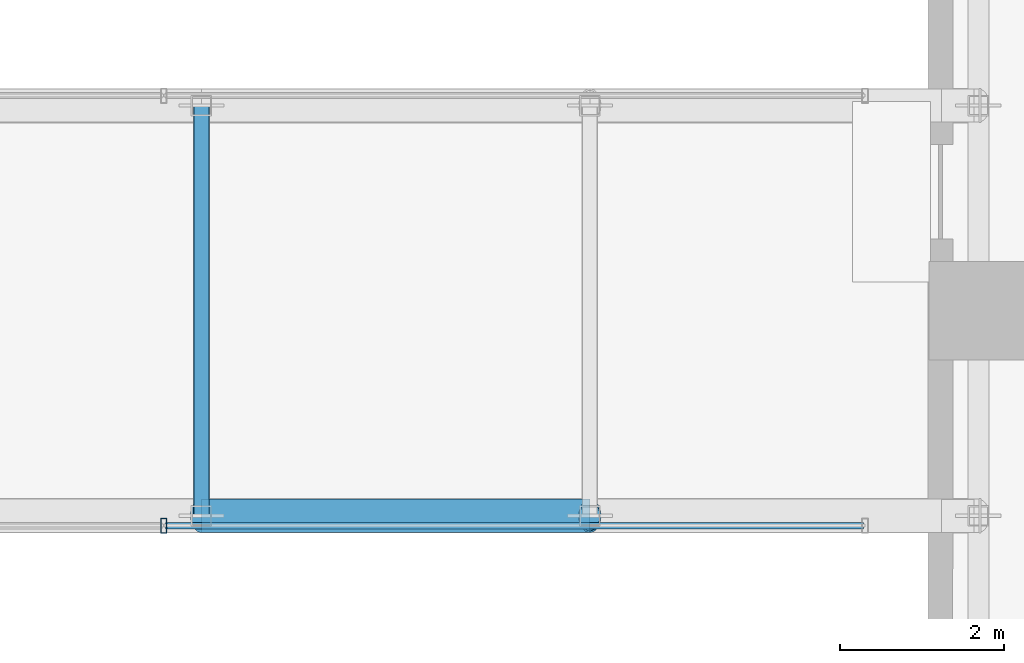
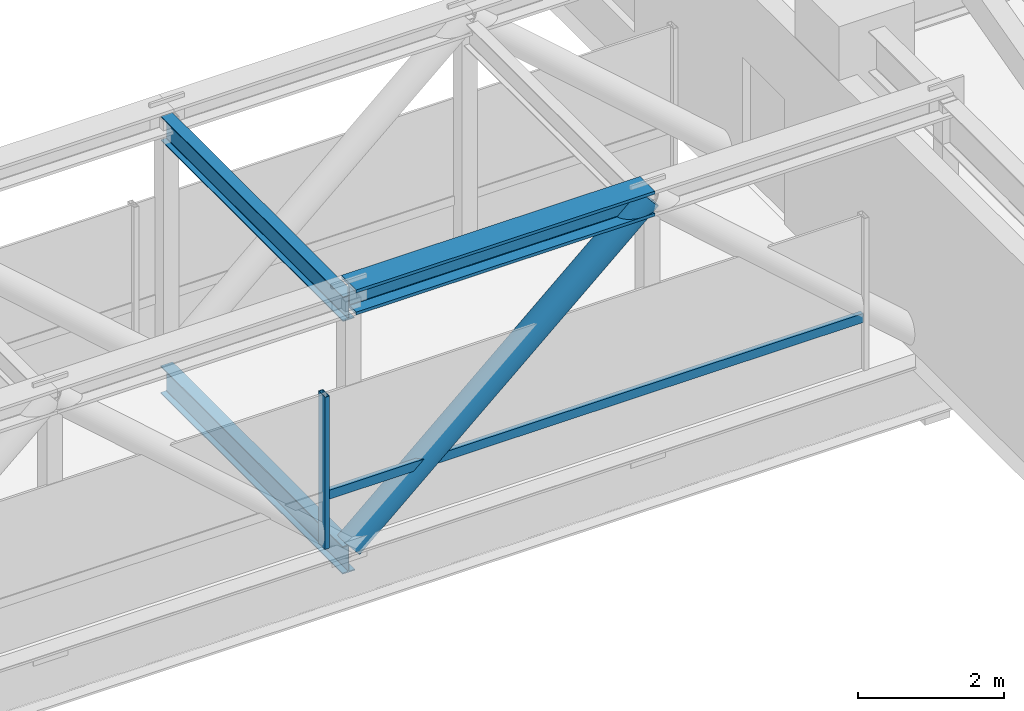
# One storey, part 9 of 45: 4 members, 2 beams, 1 element without a shape of its own.
"""IFC4 building model written with IfcOpenShell, lengths in metres."""

from ifc_helpers import new_model, si_unit, direction, frame, origin, origin_2d, place, context, subcontext, project, spatial, hollow_rectangle, hollow_circle, i_section, extrude, material, material_profile, profile_set, type_object, element, aggregate, save


model = new_model("IFC4")

# Units and contexts
model_context = context("Model", 3, precision=1e-05, world=origin(), true_north=direction((0.0, 1.0)))
body_context = subcontext(model_context, "Body", "Model", "MODEL_VIEW")
ifc_project = project(units=[si_unit("LENGTHUNIT", "METRE"), si_unit("AREAUNIT", "SQUARE_METRE"), si_unit("VOLUMEUNIT", "CUBIC_METRE"), si_unit("PLANEANGLEUNIT", "RADIAN"), si_unit("MASSUNIT", "GRAM", prefix="KILO")], contexts=[model_context])

# Site, building, storey
site_placement = place(None, origin())
site = spatial("IfcSite", under=ifc_project, at=site_placement, CompositionType="ELEMENT")
building_placement = place(site_placement, origin())
building = spatial("IfcBuilding", under=site, at=building_placement, Name="Thornwick Lancets Civic Towers", CompositionType="ELEMENT")
storey_placement = place(building_placement, frame((0.0, 0.0, 141.300048828125)))
storey = spatial("IfcBuildingStorey", under=building, at=storey_placement, Name="L37", CompositionType="ELEMENT", Elevation=141.300048828125)

# Beams
ifc_material_1 = material(Name="Steel S355JR", Category="steel")
ifc_material_profile_1 = material_profile(ifc_material_1, i_section(OverallWidth=0.179443359375, OverallDepth=0.412841796875, WebThickness=0.009521484375, FlangeThickness=0.01611328125, FilletRadius=0.01025390625, at=origin_2d()), Name="UKB 406x178x74")
ifc_profile_set_1 = profile_set([ifc_material_profile_1], Name="Steel S355JR")
beam_type_1 = type_object("IfcBeamType", Name="BM_JOIST_406_74", PredefinedType="JOIST", material=ifc_profile_set_1)
beam_1_placement = place(storey_placement, frame((61.7333984375, 24.5, 3.753662109375), z_axis=(0.0, 1.0, 0.0), x_axis=(-1.0, 0.0, 0.0)))
element("IfcBeam", 1, at=beam_1_placement, inside=storey, type_object=beam_type_1, Name="BM-L37-SB-RBM-4", PredefinedType="JOIST", context=body_context, shape_type="SweptSolid", body=[
    extrude(i_section(OverallWidth=0.179443359375, OverallDepth=0.412841796875, WebThickness=0.009521484375, FlangeThickness=0.01611328125, FilletRadius=0.01025390625, at=origin_2d()), origin(), (0.0, 0.0, 1.0), 5.0),
])
ifc_material_profile_2 = material_profile(ifc_material_1, i_section(OverallWidth=0.19189453125, OverallDepth=0.46337890625, WebThickness=0.010498046875, FlangeThickness=0.017578125, FilletRadius=0.01025390625, at=origin_2d()), Name="UKB 457x191x89")
ifc_profile_set_2 = profile_set([ifc_material_profile_2], Name="Steel S355JR")
beam_type_2 = type_object("IfcBeamType", Name="BM_JOIST_457_89", PredefinedType="JOIST", material=ifc_profile_set_2)
beam_2_placement = place(storey_placement, frame((61.7333984375, 24.5, -0.45166015625), z_axis=(0.0, 1.0, 0.0), x_axis=(-1.0, 0.0, 0.0)))
element("IfcBeam", 2, at=beam_2_placement, inside=storey, type_object=beam_type_2, Name="BM-L37-SB-XBM-4", PredefinedType="JOIST", context=body_context, shape_type="SweptSolid", body=[
    extrude(i_section(OverallWidth=0.19189453125, OverallDepth=0.46337890625, WebThickness=0.010498046875, FlangeThickness=0.017578125, FilletRadius=0.01025390625, at=origin_2d()), origin(), (0.0, 0.0, 1.0), 5.0),
])

# Curtain wall, members
ifc_material_2 = material(Name="Skybridge acoustic laminated-glass curtain wall", Category="glass")
curtain_wall_type = type_object("IfcCurtainWallType", Name="CW_SYS_06", PredefinedType="NOTDEFINED", material=ifc_material_2)
curtain_wall_placement = place(storey_placement, origin())
curtain_wall = element("IfcCurtainWall", 3, at=curtain_wall_placement, inside=storey, type_object=curtain_wall_type, Name="L37 Curtain Wall CW-L37-SKYBRIDGE-S", PredefinedType="NOTDEFINED")
ifc_material_3 = material(Name="Thermally broken bronze aluminium S355", Category="steel")
ifc_material_profile_3 = material_profile(ifc_material_3, hollow_rectangle(XDim=0.074951171875, YDim=0.179931640625, WallThickness=0.006103515625, at=origin_2d()), Name="RHS 180x75x6")
ifc_profile_set_3 = profile_set([ifc_material_profile_3], Name="Thermally broken bronze aluminium S355")
member_type_1 = type_object("IfcMemberType", Name="CW_MUL_180", PredefinedType="MULLION", material=ifc_profile_set_3)
member_1_placement = place(storey_placement, frame((61.273193359375, 24.3798828125, 0.0), z_axis=(0.0, 0.0, 1.0), x_axis=(1.0, 0.0, 0.0)))
member_1 = element("IfcMember", 4, at=member_1_placement, type_object=member_type_1, Name="CW-L37-SKYBRIDGE-S Mullion 2", PredefinedType="MULLION", context=body_context, shape_type="SweptSolid", body=[
    extrude(hollow_rectangle(XDim=0.074951171875, YDim=0.179931640625, WallThickness=0.006103515625, at=origin_2d()), origin(), (0.0, 0.0, 1.0), 2.550048828125),
])
ifc_material_profile_4 = material_profile(ifc_material_3, hollow_rectangle(XDim=0.074951171875, YDim=0.14990234375, WallThickness=0.0048828125, at=origin_2d()), Name="RHS 150x75x5")
ifc_profile_set_4 = profile_set([ifc_material_profile_4], Name="Thermally broken bronze aluminium S355")
member_type_2 = type_object("IfcMemberType", Name="CW_TRN_150", PredefinedType="USERDEFINED", material=ifc_profile_set_4)
member_2_placement = place(storey_placement, frame((61.293212890625, 24.3798828125, 0.849853515625), z_axis=(1.0, 0.0, 0.0), x_axis=(0.0, 1.0, 0.0)))
member_2 = element("IfcMember", 5, at=member_2_placement, type_object=member_type_2, Name="CW-L37-SKYBRIDGE-S Transom 2", ObjectType="TRANSOM", PredefinedType="USERDEFINED", context=body_context, shape_type="SweptSolid", body=[
    extrude(hollow_rectangle(XDim=0.074951171875, YDim=0.14990234375, WallThickness=0.0048828125, at=origin_2d()), origin(), (0.0, 0.0, 1.0), 8.5068359375),
])
aggregate(curtain_wall, [member_1, member_2])

# Members
ifc_material_4 = material(Name="Steel S460M", Category="steel")
ifc_material_profile_5 = material_profile(ifc_material_4, i_section(OverallWidth=0.406982421875, OverallDepth=0.4189453125, WebThickness=0.030517578125, FlangeThickness=0.04931640625, FilletRadius=0.01513671875, at=origin_2d()), Name="UKC 356x406x393")
ifc_profile_set_5 = profile_set([ifc_material_profile_5], Name="Steel S460M")
member_type_3 = type_object("IfcMemberType", Name="MEM_BRG_CHORD_393", PredefinedType="CHORD", material=ifc_profile_set_5)
member_3_placement = place(storey_placement, frame((61.7333984375, 24.5, 3.9599609375), z_axis=(1.0, 0.0, 0.0), x_axis=(0.0, 1.0, 0.0)))
element("IfcMember", 6, at=member_3_placement, inside=storey, type_object=member_type_3, Name="L37 Skybridge Top Chord 1-4", PredefinedType="CHORD", context=body_context, shape_type="SweptSolid", body=[
    extrude(i_section(OverallWidth=0.406982421875, OverallDepth=0.4189453125, WebThickness=0.030517578125, FlangeThickness=0.04931640625, FilletRadius=0.01513671875, at=origin_2d()), origin(), (0.0, 0.0, 1.0), 4.7333984375),
])
ifc_material_profile_6 = material_profile(ifc_material_4, hollow_circle(Radius=0.203125, WallThickness=0.02001953125, at=origin_2d()), Name="CHS 406.4x20")
ifc_profile_set_6 = profile_set([ifc_material_profile_6], Name="Steel S460M")
member_type_4 = type_object("IfcMemberType", Name="MEM_BRG_WEB_CHS406", PredefinedType="BRACE", material=ifc_profile_set_6)
member_4_placement = place(storey_placement, frame((61.7333984375, 24.5, -0.219970703125), z_axis=(0.749570397513, 0.0, 0.661924632547), x_axis=(0.0, 1.0, 0.0)))
element("IfcMember", 7, at=member_4_placement, inside=storey, type_object=member_type_4, Name="L37 Skybridge Truss Diagonal 1-4", PredefinedType="BRACE", context=body_context, shape_type="SweptSolid", body=[
    extrude(hollow_circle(Radius=0.203125, WallThickness=0.02001953125, at=origin_2d()), origin(), (0.0, 0.0, 1.0), 6.314697265625),
])

save(model, "model.ifc")
